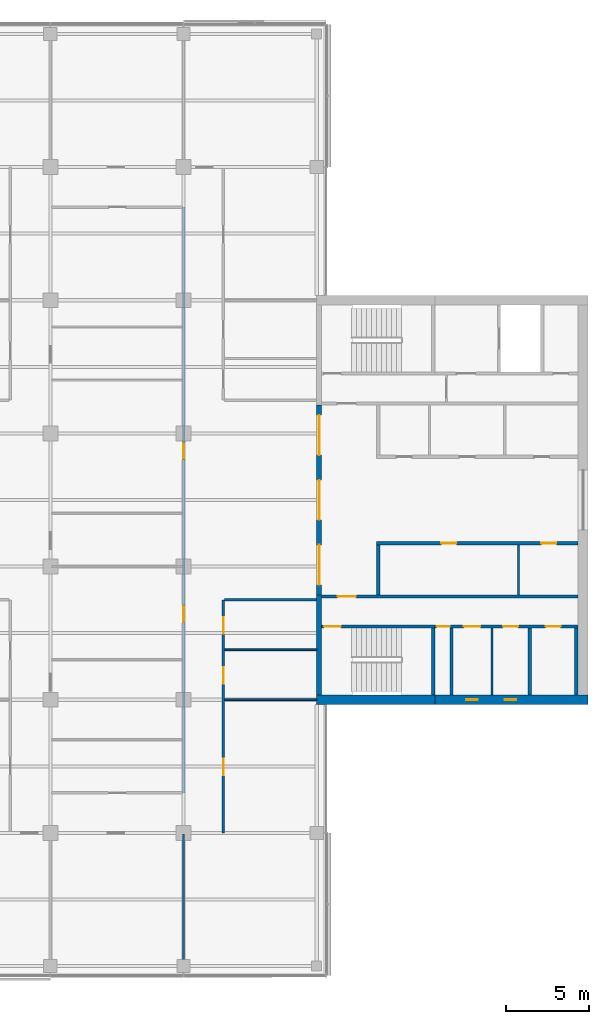
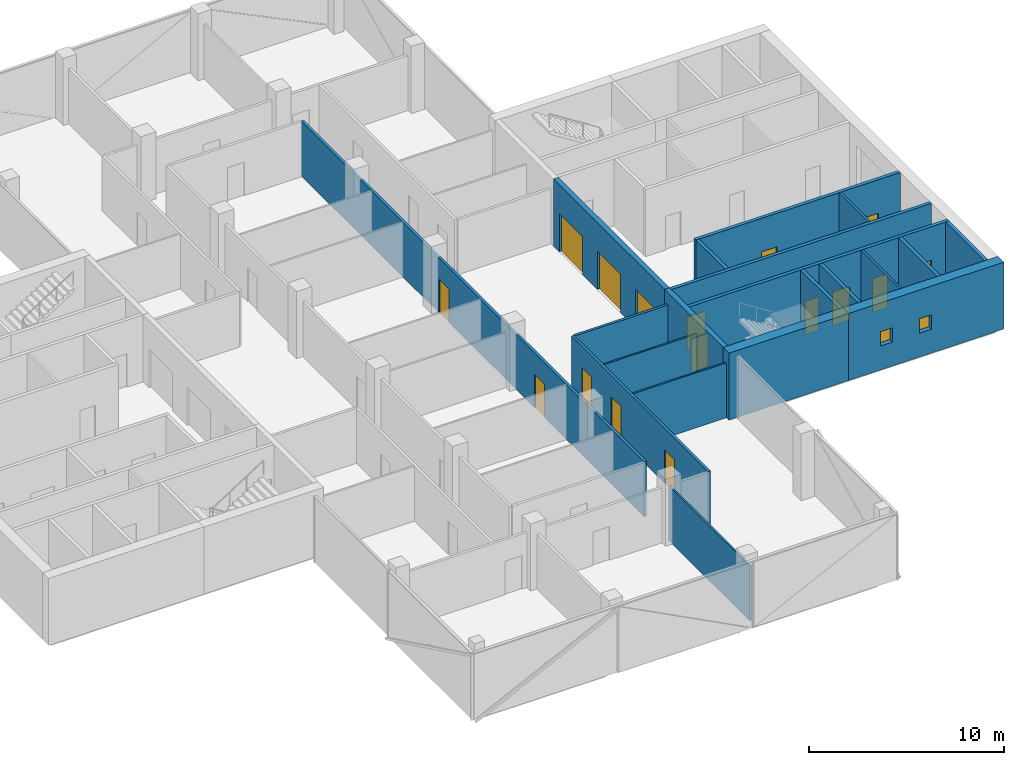
# One storey, part 10 of 15: 21 walls, 16 doors, 2 windows, 18 openings.
"""IFC4 building model written with IfcOpenShell, lengths in metres."""

from ifc_helpers import new_model, si_unit, direction, frame, frame_2d, origin, place, context, subcontext, project, spatial, rectangle, extrude, material, layer, layer_set, constituent, constituent_set, type_object, element, fill, save


model = new_model("IFC4")

# Units and contexts
model_context = context("Model", 3, precision=1e-05, world=origin(), true_north=direction((0.0, 1.0)))
body_context = subcontext(model_context, "Body", "Model", "MODEL_VIEW")
ifc_project = project(units=[si_unit("LENGTHUNIT", "METRE"), si_unit("AREAUNIT", "SQUARE_METRE"), si_unit("VOLUMEUNIT", "CUBIC_METRE"), si_unit("PLANEANGLEUNIT", "RADIAN"), si_unit("MASSUNIT", "GRAM", prefix="KILO")], contexts=[model_context])

# Site, building, storey
site_placement = place(None, origin())
site = spatial("IfcSite", under=ifc_project, at=site_placement, CompositionType="ELEMENT")
building_placement = place(site_placement, origin())
building = spatial("IfcBuilding", under=site, at=building_placement, Name="Crosswind Convention Tower", CompositionType="ELEMENT")
storey_placement = place(building_placement, frame((0.0, 0.0, 204.10009765625)))
storey = spatial("IfcBuildingStorey", under=building, at=storey_placement, Name="L43", CompositionType="ELEMENT", Elevation=204.10009765625)

# Wall
ifc_material_1 = material(Name="Concrete blockwork", Category="masonry")
ifc_layer_1 = layer(ifc_material_1, 0.199951171875)
ifc_layer_set_1 = layer_set([ifc_layer_1], Name="Blockwork partition wall 200")
wall_type_1 = type_object("IfcWallType", Name="Blockwork partition wall 200", PredefinedType="PARTITIONING", material=ifc_layer_set_1)
wall_1_placement = place(storey_placement, frame((145.10009765625, 88.300048828125, 0.0), z_axis=(0.0, 0.0, 1.0), x_axis=(0.0, 1.0, 0.0)))
element("IfcWall", 1, at=wall_1_placement, inside=storey, type_object=wall_type_1, Name="Wall MRSE E L43", PredefinedType="PARTITIONING", context=body_context, shape_type="SweptSolid", body=[
    extrude(rectangle(XDim=4.0, YDim=0.199951171875, at=frame_2d((2.0, 0.0))), origin(), (0.0, 0.0, 1.0), 4.199951171875),
])

# Wall, openings, doors
ifc_material_2 = material(Name="Concrete C50/60", Category="concrete")
ifc_layer_2 = layer(ifc_material_2, 0.300048828125)
ifc_layer_set_2 = layer_set([ifc_layer_2], Name="Concrete C50/60")
wall_type_2 = type_object("IfcWallType", Name="Concrete inner core wall 300", PredefinedType="SHEAR", material=ifc_layer_set_2)
wall_2_placement = place(storey_placement, frame((137.14990234375, 94.300048828125, 0.0), z_axis=(0.0, 0.0, 1.0), x_axis=(0.0, 1.0, 0.0)))
wall_2 = element("IfcWall", 2, at=wall_2_placement, inside=storey, type_object=wall_type_2, Name="Wall SCR E L43", PredefinedType="SHEAR", context=body_context, shape_type="SweptSolid", body=[
    extrude(rectangle(XDim=11.39990234375, YDim=0.300048828125, at=frame_2d((5.699951171875, 0.0))), origin(), (0.0, 0.0, 1.0), 4.199951171875),
])
opening_1_placement = place(wall_2_placement, frame((0.60009765625, 0.0, 0.0)))
opening_1 = element("IfcOpeningElement", 3, at=opening_1_placement, cuts=wall_2, Name="Opening D100", PredefinedType="OPENING", context=body_context, shape_type="SweptSolid", body=[
    extrude(rectangle(XDim=2.39990234375, YDim=2.39990234375, at=frame_2d((1.199951171875, 1.199951171875))), frame((0.0, 0.159912109375, 0.0), z_axis=(0.0, -1.0, 0.0), x_axis=(1.0, 0.0, 0.0)), (0.0, 0.0, 1.0), 0.320068359375),
])
opening_2_placement = place(wall_2_placement, frame((4.5, 0.0, 0.0)))
opening_2 = element("IfcOpeningElement", 4, at=opening_2_placement, cuts=wall_2, Name="Opening D100", PredefinedType="OPENING", context=body_context, shape_type="SweptSolid", body=[
    extrude(rectangle(XDim=2.39990234375, YDim=2.39990234375, at=frame_2d((1.199951171875, 1.199951171875))), frame((0.0, 0.159912109375, 0.0), z_axis=(0.0, -1.0, 0.0), x_axis=(1.0, 0.0, 0.0)), (0.0, 0.0, 1.0), 0.320068359375),
])
opening_3_placement = place(wall_2_placement, frame((8.39990234375, 0.0, 0.0)))
opening_3 = element("IfcOpeningElement", 5, at=opening_3_placement, cuts=wall_2, Name="Opening D100", PredefinedType="OPENING", context=body_context, shape_type="SweptSolid", body=[
    extrude(rectangle(XDim=2.39990234375, YDim=2.39990234375, at=frame_2d((1.199951171875, 1.199951171875))), frame((0.0, 0.159912109375, 0.0), z_axis=(0.0, -1.0, 0.0), x_axis=(1.0, 0.0, 0.0)), (0.0, 0.0, 1.0), 0.320068359375),
])
ifc_material_3 = material(Name="Steel fire door with glazed vision panels", Category="steel")
door_type_1 = type_object("IfcDoorType", Name="Fire-rated double door 2400x2400", OperationType="DOUBLE_DOOR_SINGLE_SWING", PredefinedType="DOOR", material=ifc_material_3)
door_1_placement = place(opening_1_placement, origin())
door_1 = element("IfcDoor", 6, at=door_1_placement, inside=storey, type_object=door_type_1, Name="Lobby door 1 L43", ObjectType="D100", OperationType="DOUBLE_DOOR_SINGLE_SWING", OverallHeight=2.39990234375, OverallWidth=2.39990234375, PredefinedType="DOOR", context=body_context, shape_type="SweptSolid", body=[
    extrude(rectangle(XDim=2.39990234375, YDim=2.39990234375, at=frame_2d((1.199951171875, 1.199951171875))), frame((0.0, 0.02490234375, 0.0), z_axis=(0.0, -1.0, 0.0), x_axis=(1.0, 0.0, 0.0)), (0.0, 0.0, 1.0), 0.050048828125),
])
fill(opening_1, door_1)
door_2_placement = place(opening_2_placement, origin())
door_2 = element("IfcDoor", 7, at=door_2_placement, inside=storey, type_object=door_type_1, Name="Lobby door 2 L43", ObjectType="D100", OperationType="DOUBLE_DOOR_SINGLE_SWING", OverallHeight=2.39990234375, OverallWidth=2.39990234375, PredefinedType="DOOR", context=body_context, shape_type="SweptSolid", body=[
    extrude(rectangle(XDim=2.39990234375, YDim=2.39990234375, at=frame_2d((1.199951171875, 1.199951171875))), frame((0.0, 0.02490234375, 0.0), z_axis=(0.0, -1.0, 0.0), x_axis=(1.0, 0.0, 0.0)), (0.0, 0.0, 1.0), 0.050048828125),
])
fill(opening_2, door_2)
door_3_placement = place(opening_3_placement, origin())
door_3 = element("IfcDoor", 8, at=door_3_placement, inside=storey, type_object=door_type_1, Name="Lobby door 3 L43", ObjectType="D100", OperationType="DOUBLE_DOOR_SINGLE_SWING", OverallHeight=2.39990234375, OverallWidth=2.39990234375, PredefinedType="DOOR", context=body_context, shape_type="SweptSolid", body=[
    extrude(rectangle(XDim=2.39990234375, YDim=2.39990234375, at=frame_2d((1.199951171875, 1.199951171875))), frame((0.0, 0.02490234375, 0.0), z_axis=(0.0, -1.0, 0.0), x_axis=(1.0, 0.0, 0.0)), (0.0, 0.0, 1.0), 0.050048828125),
])
fill(opening_3, door_3)

# Walls
wall_3_placement = place(storey_placement, frame((137.14990234375, 88.300048828125, 0.0), z_axis=(0.0, 0.0, 1.0), x_axis=(0.0, 1.0, 0.0)))
element("IfcWall", 9, at=wall_3_placement, inside=storey, type_object=wall_type_2, Name="Wall EM E L43", PredefinedType="SHEAR", context=body_context, shape_type="SweptSolid", body=[
    extrude(rectangle(XDim=6.0, YDim=0.300048828125, at=frame_2d((3.0, 0.0))), origin(), (0.0, 0.0, 1.0), 4.199951171875),
])
ifc_layer_3 = layer(ifc_material_2, 0.199951171875)
ifc_layer_set_3 = layer_set([ifc_layer_3], Name="Concrete C50/60")
wall_type_3 = type_object("IfcWallType", Name="Concrete shaft and stair wall 200", PredefinedType="SHEAR", material=ifc_layer_set_3)
wall_4_placement = place(storey_placement, frame((140.699951171875, 94.300048828125, 0.0), z_axis=(0.0, 0.0, 1.0), x_axis=(0.0, 1.0, 0.0)))
element("IfcWall", 10, at=wall_4_placement, inside=storey, type_object=wall_type_3, Name="Wall RMEND E L43", PredefinedType="SHEAR", context=body_context, shape_type="SweptSolid", body=[
    extrude(rectangle(XDim=3.0, YDim=0.199951171875, at=frame_2d((1.5, 0.0))), origin(), (0.0, 0.0, 1.0), 4.199951171875),
])

# Wall, openings, doors
wall_5_placement = place(storey_placement, frame((140.60009765625, 97.39990234375, 0.0), z_axis=(0.0, 0.0, 1.0), x_axis=(1.0, 0.0, 0.0)))
wall_5 = element("IfcWall", 11, at=wall_5_placement, inside=storey, type_object=wall_type_3, Name="Wall RMFRONT E L43", PredefinedType="SHEAR", context=body_context, shape_type="SweptSolid", body=[
    extrude(rectangle(XDim=12.099853515625, YDim=0.199951171875, at=frame_2d((6.0498046875, 0.0))), origin(), (0.0, 0.0, 1.0), 4.199951171875),
])
opening_4_placement = place(wall_5_placement, frame((3.8837890625, 0.0, 0.0)))
opening_4 = element("IfcOpeningElement", 12, at=opening_4_placement, cuts=wall_5, Name="Opening D106", PredefinedType="OPENING", context=body_context, shape_type="SweptSolid", body=[
    extrude(rectangle(XDim=0.89990234375, YDim=2.10009765625, at=frame_2d((0.449951171875, 1.050048828125))), frame((0.0, 0.10986328125, 0.0), z_axis=(0.0, -1.0, 0.0), x_axis=(1.0, 0.0, 0.0)), (0.0, 0.0, 1.0), 0.219970703125),
])
opening_5_placement = place(wall_5_placement, frame((9.896240234375, 0.0, 0.0)))
opening_5 = element("IfcOpeningElement", 13, at=opening_5_placement, cuts=wall_5, Name="Opening D106", PredefinedType="OPENING", context=body_context, shape_type="SweptSolid", body=[
    extrude(rectangle(XDim=0.89990234375, YDim=2.10009765625, at=frame_2d((0.449951171875, 1.050048828125))), frame((0.0, 0.10986328125, 0.0), z_axis=(0.0, -1.0, 0.0), x_axis=(1.0, 0.0, 0.0)), (0.0, 0.0, 1.0), 0.219970703125),
])
ifc_material_4 = material(Name="Timber door", Category="wood")
door_type_2 = type_object("IfcDoorType", Name="Single leaf door 900x2100", OperationType="NOTDEFINED", PredefinedType="DOOR", material=ifc_material_4)
door_4_placement = place(opening_4_placement, frame((0.89990234375, 0.0, 0.0), z_axis=(0.0, 0.0, 1.0), x_axis=(-1.0, 0.0, 0.0)))
door_4 = element("IfcDoor", 14, at=door_4_placement, inside=storey, type_object=door_type_2, Name="Door to pantry L43", ObjectType="D106", OperationType="SINGLE_SWING_LEFT", OverallHeight=2.10009765625, OverallWidth=0.89990234375, PredefinedType="DOOR", context=body_context, shape_type="SweptSolid", body=[
    extrude(rectangle(XDim=0.89990234375, YDim=2.10009765625, at=frame_2d((0.449951171875, 1.050048828125))), frame((0.0, 0.02490234375, 0.0), z_axis=(0.0, -1.0, 0.0), x_axis=(1.0, 0.0, 0.0)), (0.0, 0.0, 1.0), 0.050048828125),
])
fill(opening_4, door_4)
door_5_placement = place(opening_5_placement, frame((0.89990234375, 0.0, 0.0), z_axis=(0.0, 0.0, 1.0), x_axis=(-1.0, 0.0, 0.0)))
door_5 = element("IfcDoor", 15, at=door_5_placement, inside=storey, type_object=door_type_2, Name="Door to telecoms room L43", ObjectType="D106", OperationType="SINGLE_SWING_LEFT", OverallHeight=2.10009765625, OverallWidth=0.89990234375, PredefinedType="DOOR", context=body_context, shape_type="SweptSolid", body=[
    extrude(rectangle(XDim=0.89990234375, YDim=2.10009765625, at=frame_2d((0.449951171875, 1.050048828125))), frame((0.0, 0.02490234375, 0.0), z_axis=(0.0, -1.0, 0.0), x_axis=(1.0, 0.0, 0.0)), (0.0, 0.0, 1.0), 0.050048828125),
])
fill(opening_5, door_5)

# Wall, opening, door
wall_6_placement = place(storey_placement, frame((137.300048828125, 94.199951171875, 0.0), z_axis=(0.0, 0.0, 1.0), x_axis=(1.0, 0.0, 0.0)))
wall_6 = element("IfcWall", 16, at=wall_6_placement, inside=storey, type_object=wall_type_3, Name="Wall HM E L43", PredefinedType="SHEAR", context=body_context, shape_type="SweptSolid", body=[
    extrude(rectangle(XDim=15.39990234375, YDim=0.199951171875, at=frame_2d((7.699951171875, 0.0))), origin(), (0.0, 0.0, 1.0), 4.199951171875),
])
opening_6_placement = place(wall_6_placement, frame((0.949951171875, 0.0, 0.0)))
opening_6 = element("IfcOpeningElement", 17, at=opening_6_placement, cuts=wall_6, Name="Opening D104", PredefinedType="OPENING", context=body_context, shape_type="SweptSolid", body=[
    extrude(rectangle(XDim=1.10009765625, YDim=2.10009765625, at=frame_2d((0.550048828125, 1.050048828125))), frame((0.0, 0.10986328125, 0.0), z_axis=(0.0, -1.0, 0.0), x_axis=(1.0, 0.0, 0.0)), (0.0, 0.0, 1.0), 0.219970703125),
])
ifc_material_5 = material(Name="Steel fire door", Category="steel")
door_type_3 = type_object("IfcDoorType", Name="Fire-rated single door 1100x2100", OperationType="NOTDEFINED", PredefinedType="DOOR", material=ifc_material_5)
door_6_placement = place(opening_6_placement, origin())
door_6 = element("IfcDoor", 18, at=door_6_placement, inside=storey, type_object=door_type_3, Name="Corridor door L43", ObjectType="D104", OperationType="SINGLE_SWING_LEFT", OverallHeight=2.10009765625, OverallWidth=1.10009765625, PredefinedType="DOOR", context=body_context, shape_type="SweptSolid", body=[
    extrude(rectangle(XDim=1.10009765625, YDim=2.10009765625, at=frame_2d((0.550048828125, 1.050048828125))), frame((0.0, 0.02490234375, 0.0), z_axis=(0.0, -1.0, 0.0), x_axis=(1.0, 0.0, 0.0)), (0.0, 0.0, 1.0), 0.050048828125),
])
fill(opening_6, door_6)

# Walls
for number, where, z_axis, x_axis, name in (
    (19, (144.0, 88.300048828125, 0.0), (0.0, 0.0, 1.0), (0.0, 1.0, 0.0), "Wall MSE E L43"),
    (20, (149.800048828125, 88.300048828125, 0.0), (0.0, 0.0, 1.0), (0.0, 1.0, 0.0), "Wall MFSW E L43"),
    (21, (152.60009765625, 88.300048828125, 0.0), (0.0, 0.0, 1.0), (0.0, 1.0, 0.0), "Wall MFSE E L43"),
):
    element("IfcWall", number, at=place(storey_placement, frame(where, z_axis=z_axis, x_axis=x_axis)), inside=storey, type_object=wall_type_3, Name=name, PredefinedType="SHEAR", context=body_context, shape_type="SweptSolid", body=[
        extrude(rectangle(XDim=4.0, YDim=0.199951171875, at=frame_2d((2.0, 0.0))), origin(), (0.0, 0.0, 1.0), 4.199951171875),
    ])

# Wall, opening, door
wall_7_placement = place(storey_placement, frame((137.300048828125, 92.39990234375, 0.0), z_axis=(0.0, 0.0, 1.0), x_axis=(1.0, 0.0, 0.0)))
wall_7 = element("IfcWall", 22, at=wall_7_placement, inside=storey, type_object=wall_type_3, Name="Wall MCW E L43", PredefinedType="SHEAR", context=body_context, shape_type="SweptSolid", body=[
    extrude(rectangle(XDim=6.800048828125, YDim=0.199951171875, at=frame_2d((3.39990234375, 0.0))), origin(), (0.0, 0.0, 1.0), 4.199951171875),
])
opening_7_placement = place(wall_7_placement, frame((0.14990234375, 0.0, 0.0)))
opening_7 = element("IfcOpeningElement", 23, at=opening_7_placement, cuts=wall_7, Name="Opening D103", PredefinedType="OPENING", context=body_context, shape_type="SweptSolid", body=[
    extrude(rectangle(XDim=1.0, YDim=2.10009765625, at=frame_2d((0.5, 1.050048828125))), frame((0.0, 0.10986328125, 0.0), z_axis=(0.0, -1.0, 0.0), x_axis=(1.0, 0.0, 0.0)), (0.0, 0.0, 1.0), 0.219970703125),
])
door_type_4 = type_object("IfcDoorType", Name="Fire-rated single door 1000x2100", OperationType="NOTDEFINED", PredefinedType="DOOR", material=ifc_material_5)
door_7_placement = place(opening_7_placement, frame((1.0, 0.0, 0.0), z_axis=(0.0, 0.0, 1.0), x_axis=(-1.0, 0.0, 0.0)))
door_7 = element("IfcDoor", 24, at=door_7_placement, inside=storey, type_object=door_type_4, Name="Stair ST2 door L43", ObjectType="D103", OperationType="SINGLE_SWING_RIGHT", OverallHeight=2.10009765625, OverallWidth=1.0, PredefinedType="DOOR", context=body_context, shape_type="SweptSolid", body=[
    extrude(rectangle(XDim=1.0, YDim=2.10009765625, at=frame_2d((0.5, 1.050048828125))), frame((0.0, 0.02490234375, 0.0), z_axis=(0.0, -1.0, 0.0), x_axis=(1.0, 0.0, 0.0)), (0.0, 0.0, 1.0), 0.050048828125),
])
fill(opening_7, door_7)

# Wall, openings, doors
wall_8_placement = place(storey_placement, frame((144.10009765625, 92.39990234375, 0.0), z_axis=(0.0, 0.0, 1.0), x_axis=(1.0, 0.0, 0.0)))
wall_8 = element("IfcWall", 25, at=wall_8_placement, inside=storey, type_object=wall_type_3, Name="Wall MCX E L43", PredefinedType="SHEAR", context=body_context, shape_type="SweptSolid", body=[
    extrude(rectangle(XDim=8.599853515625, YDim=0.199951171875, at=frame_2d((4.2998046875, 0.0))), origin(), (0.0, 0.0, 1.0), 4.199951171875),
])
opening_8_placement = place(wall_8_placement, frame((0.10009765625, 0.0, 0.0)))
opening_8 = element("IfcOpeningElement", 26, at=opening_8_placement, cuts=wall_8, Name="Opening D105", PredefinedType="OPENING", context=body_context, shape_type="SweptSolid", body=[
    extrude(rectangle(XDim=0.800048828125, YDim=2.10009765625, at=frame_2d((0.39990234375, 1.050048828125))), frame((0.0, 0.10986328125, 0.0), z_axis=(0.0, -1.0, 0.0), x_axis=(1.0, 0.0, 0.0)), (0.0, 0.0, 1.0), 0.219970703125),
])
opening_9_placement = place(wall_8_placement, frame((1.73876953125, 0.0, 0.0)))
opening_9 = element("IfcOpeningElement", 27, at=opening_9_placement, cuts=wall_8, Name="Opening D103", PredefinedType="OPENING", context=body_context, shape_type="SweptSolid", body=[
    extrude(rectangle(XDim=1.0, YDim=2.10009765625, at=frame_2d((0.5, 1.050048828125))), frame((0.0, 0.10986328125, 0.0), z_axis=(0.0, -1.0, 0.0), x_axis=(1.0, 0.0, 0.0)), (0.0, 0.0, 1.0), 0.219970703125),
])
opening_10_placement = place(wall_8_placement, frame((4.101318359375, 0.0, 0.0)))
opening_10 = element("IfcOpeningElement", 28, at=opening_10_placement, cuts=wall_8, Name="Opening D106", PredefinedType="OPENING", context=body_context, shape_type="SweptSolid", body=[
    extrude(rectangle(XDim=0.89990234375, YDim=2.10009765625, at=frame_2d((0.449951171875, 1.050048828125))), frame((0.0, 0.10986328125, 0.0), z_axis=(0.0, -1.0, 0.0), x_axis=(1.0, 0.0, 0.0)), (0.0, 0.0, 1.0), 0.219970703125),
])
opening_11_placement = place(wall_8_placement, frame((6.64990234375, 0.0, 0.0)))
opening_11 = element("IfcOpeningElement", 29, at=opening_11_placement, cuts=wall_8, Name="Opening D106", PredefinedType="OPENING", context=body_context, shape_type="SweptSolid", body=[
    extrude(rectangle(XDim=0.89990234375, YDim=2.10009765625, at=frame_2d((0.449951171875, 1.050048828125))), frame((0.0, 0.10986328125, 0.0), z_axis=(0.0, -1.0, 0.0), x_axis=(1.0, 0.0, 0.0)), (0.0, 0.0, 1.0), 0.219970703125),
])
door_8_placement = place(opening_9_placement, frame((1.0, 0.0, 0.0), z_axis=(0.0, 0.0, 1.0), x_axis=(-1.0, 0.0, 0.0)))
door_8 = element("IfcDoor", 30, at=door_8_placement, inside=storey, type_object=door_type_4, Name="Door to accessible wc L43", ObjectType="D103", OperationType="SINGLE_SWING_LEFT", OverallHeight=2.10009765625, OverallWidth=1.0, PredefinedType="DOOR", context=body_context, shape_type="SweptSolid", body=[
    extrude(rectangle(XDim=1.0, YDim=2.10009765625, at=frame_2d((0.5, 1.050048828125))), frame((0.0, 0.02490234375, 0.0), z_axis=(0.0, -1.0, 0.0), x_axis=(1.0, 0.0, 0.0)), (0.0, 0.0, 1.0), 0.050048828125),
])
fill(opening_9, door_8)
door_type_5 = type_object("IfcDoorType", Name="Riser access door 800x2100", OperationType="NOTDEFINED", PredefinedType="DOOR", material=ifc_material_5)
door_9_placement = place(opening_8_placement, frame((0.800048828125, 0.0, 0.0), z_axis=(0.0, 0.0, 1.0), x_axis=(-1.0, 0.0, 0.0)))
door_9 = element("IfcDoor", 31, at=door_9_placement, inside=storey, type_object=door_type_5, Name="Riser door L43", ObjectType="D105", OperationType="SINGLE_SWING_LEFT", OverallHeight=2.10009765625, OverallWidth=0.800048828125, PredefinedType="DOOR", context=body_context, shape_type="SweptSolid", body=[
    extrude(rectangle(XDim=0.800048828125, YDim=2.10009765625, at=frame_2d((0.39990234375, 1.050048828125))), frame((0.0, 0.02490234375, 0.0), z_axis=(0.0, -1.0, 0.0), x_axis=(1.0, 0.0, 0.0)), (0.0, 0.0, 1.0), 0.050048828125),
])
fill(opening_8, door_9)
door_10_placement = place(opening_10_placement, frame((0.89990234375, 0.0, 0.0), z_axis=(0.0, 0.0, 1.0), x_axis=(-1.0, 0.0, 0.0)))
door_10 = element("IfcDoor", 32, at=door_10_placement, inside=storey, type_object=door_type_2, Name="Door to wc L43", ObjectType="D106", OperationType="SINGLE_SWING_LEFT", OverallHeight=2.10009765625, OverallWidth=0.89990234375, PredefinedType="DOOR", context=body_context, shape_type="SweptSolid", body=[
    extrude(rectangle(XDim=0.89990234375, YDim=2.10009765625, at=frame_2d((0.449951171875, 1.050048828125))), frame((0.0, 0.02490234375, 0.0), z_axis=(0.0, -1.0, 0.0), x_axis=(1.0, 0.0, 0.0)), (0.0, 0.0, 1.0), 0.050048828125),
])
fill(opening_10, door_10)
door_11_placement = place(opening_11_placement, frame((0.89990234375, 0.0, 0.0), z_axis=(0.0, 0.0, 1.0), x_axis=(-1.0, 0.0, 0.0)))
door_11 = element("IfcDoor", 33, at=door_11_placement, inside=storey, type_object=door_type_2, Name="Door to wc L43", ObjectType="D106", OperationType="SINGLE_SWING_LEFT", OverallHeight=2.10009765625, OverallWidth=0.89990234375, PredefinedType="DOOR", context=body_context, shape_type="SweptSolid", body=[
    extrude(rectangle(XDim=0.89990234375, YDim=2.10009765625, at=frame_2d((0.449951171875, 1.050048828125))), frame((0.0, 0.02490234375, 0.0), z_axis=(0.0, -1.0, 0.0), x_axis=(1.0, 0.0, 0.0)), (0.0, 0.0, 1.0), 0.050048828125),
])
fill(opening_11, door_11)

# Walls
ifc_material_6 = material(Name="Gypsum plasterboard partition", Category="gypsum")
ifc_layer_4 = layer(ifc_material_6, 0.125)
ifc_layer_set_4 = layer_set([ifc_layer_4], Name="Drywall partition wall 125")
wall_type_4 = type_object("IfcWallType", Name="Drywall partition wall 125", PredefinedType="PARTITIONING", material=ifc_layer_set_4)
wall_9_placement = place(storey_placement, frame((149.1298828125, 94.300048828125, 0.0), z_axis=(0.0, 0.0, 1.0), x_axis=(0.0, 1.0, 0.0)))
element("IfcWall", 34, at=wall_9_placement, inside=storey, type_object=wall_type_4, Name="Wall RMP1 E L43", PredefinedType="PARTITIONING", context=body_context, shape_type="SweptSolid", body=[
    extrude(rectangle(XDim=3.0, YDim=0.125, at=frame_2d((1.5, 0.0))), origin(), (0.0, 0.0, 1.0), 4.199951171875),
])
wall_10_placement = place(storey_placement, frame((147.5400390625, 88.300048828125, 0.0), z_axis=(0.0, 0.0, 1.0), x_axis=(0.0, 1.0, 0.0)))
element("IfcWall", 35, at=wall_10_placement, inside=storey, type_object=wall_type_4, Name="Wall MWP1 E L43", PredefinedType="PARTITIONING", context=body_context, shape_type="SweptSolid", body=[
    extrude(rectangle(XDim=4.0, YDim=0.125, at=frame_2d((2.0, 0.0))), origin(), (0.0, 0.0, 1.0), 4.199951171875),
])
ifc_material_7 = material(Name="Plasterboard partition", Category="gypsum")
ifc_layer_5 = layer(ifc_material_7, 0.10009765625)
ifc_layer_set_5 = layer_set([ifc_layer_5], Name="PARTITION 100 METAL STUD")
wall_type_5 = type_object("IfcWallType", Name="PARTITION 100 METAL STUD", PredefinedType="PARTITIONING", material=ifc_layer_set_5)
wall_11_placement = place(storey_placement, frame((129.0, 71.6298828125, 0.0), z_axis=(0.0, 0.0, 1.0), x_axis=(0.0, 1.0, 0.0)))
element("IfcWall", 36, at=wall_11_placement, inside=storey, type_object=wall_type_5, Name="Partition wall WT40", PredefinedType="PARTITIONING", context=body_context, shape_type="SweptSolid", body=[
    extrude(rectangle(XDim=8.295166015625, YDim=0.10009765625, at=frame_2d((4.1474609375, 0.0))), origin(), (0.0, 0.0, 1.0), 3.439697265625),
])
for number, where, z_axis, x_axis, name in (
    (37, (131.47509765625, 88.0, 0.0), (0.0, 0.0, 1.0), (1.0, 0.0, 0.0), "Partition wall WT40"),
    (38, (131.47509765625, 91.0, 0.0), (0.0, 0.0, 1.0), (1.0, 0.0, 0.0), "Partition wall WT40"),
):
    element("IfcWall", number, at=place(storey_placement, frame(where, z_axis=z_axis, x_axis=x_axis)), inside=storey, type_object=wall_type_5, Name=name, PredefinedType="PARTITIONING", context=body_context, shape_type="SweptSolid", body=[
        extrude(rectangle(XDim=5.52490234375, YDim=0.10009765625, at=frame_2d((2.762451171875, 0.0))), origin(), (0.0, 0.0, 1.0), 3.439697265625),
    ])

# Wall, openings, doors
ifc_material_8 = material(Name="Fire-board partition with mineral wool", Category="gypsum")
ifc_layer_6 = layer(ifc_material_8, 0.14990234375)
ifc_layer_set_6 = layer_set([ifc_layer_6], Name="TENANCY WALL 150 TWO-HOUR BOARD")
wall_type_6 = type_object("IfcWallType", Name="TENANCY WALL 150 TWO-HOUR BOARD", PredefinedType="PARTITIONING", material=ifc_layer_set_6)
wall_12_placement = place(storey_placement, frame((129.0, 82.39990234375, 0.0), z_axis=(0.0, 0.0, 1.0), x_axis=(0.0, 1.0, 0.0)))
wall_12 = element("IfcWall", 39, at=wall_12_placement, inside=storey, type_object=wall_type_6, Name="Tenancy wall WT41", PredefinedType="PARTITIONING", context=body_context, shape_type="SweptSolid", body=[
    extrude(rectangle(XDim=35.2001953125, YDim=0.14990234375, at=frame_2d((17.60009765625, 0.0))), origin(), (0.0, 0.0, 1.0), 3.439697265625),
])
opening_12_placement = place(wall_12_placement, frame((10.25, 0.0, 0.0)))
opening_12 = element("IfcOpeningElement", 40, at=opening_12_placement, cuts=wall_12, Name="Opening L43-66", PredefinedType="OPENING", context=body_context, shape_type="SweptSolid", body=[
    extrude(rectangle(XDim=1.0, YDim=2.10009765625, at=frame_2d((0.5, 1.050048828125))), frame((0.0, 0.0849609375, 0.0), z_axis=(0.0, -1.0, 0.0), x_axis=(1.0, 0.0, 0.0)), (0.0, 0.0, 1.0), 0.169921875),
])
opening_13_placement = place(wall_12_placement, frame((20.050048828125, 0.0, 0.0)))
opening_13 = element("IfcOpeningElement", 41, at=opening_13_placement, cuts=wall_12, Name="Opening L43-68", PredefinedType="OPENING", context=body_context, shape_type="SweptSolid", body=[
    extrude(rectangle(XDim=1.0, YDim=2.10009765625, at=frame_2d((0.5, 1.050048828125))), frame((0.0, 0.0849609375, 0.0), z_axis=(0.0, -1.0, 0.0), x_axis=(1.0, 0.0, 0.0)), (0.0, 0.0, 1.0), 0.169921875),
])
ifc_material_9 = material(Name="Timber fire door", Category="wood")
door_type_6 = type_object("IfcDoorType", Name="TENANCY ENTRANCE DOOR 1000X2100 FD30S", OperationType="NOTDEFINED", PredefinedType="DOOR", material=ifc_material_9)
door_12_placement = place(opening_12_placement, origin())
door_12 = element("IfcDoor", 42, at=door_12_placement, inside=storey, type_object=door_type_6, Name="Door L43-66", ObjectType="D41", OperationType="SINGLE_SWING_RIGHT", OverallHeight=2.10009765625, OverallWidth=1.0, PredefinedType="DOOR", context=body_context, shape_type="SweptSolid", body=[
    extrude(rectangle(XDim=1.0, YDim=2.10009765625, at=frame_2d((0.5, 1.050048828125))), frame((0.0, 0.02490234375, 0.0), z_axis=(0.0, -1.0, 0.0), x_axis=(1.0, 0.0, 0.0)), (0.0, 0.0, 1.0), 0.050048828125),
])
fill(opening_12, door_12)
door_13_placement = place(opening_13_placement, origin())
door_13 = element("IfcDoor", 43, at=door_13_placement, inside=storey, type_object=door_type_6, Name="Door L43-68", ObjectType="D41", OperationType="SINGLE_SWING_RIGHT", OverallHeight=2.10009765625, OverallWidth=1.0, PredefinedType="DOOR", context=body_context, shape_type="SweptSolid", body=[
    extrude(rectangle(XDim=1.0, YDim=2.10009765625, at=frame_2d((0.5, 1.050048828125))), frame((0.0, 0.02490234375, 0.0), z_axis=(0.0, -1.0, 0.0), x_axis=(1.0, 0.0, 0.0)), (0.0, 0.0, 1.0), 0.050048828125),
])
fill(opening_13, door_13)

wall_13_placement = place(storey_placement, frame((131.39990234375, 80.0, 0.0), z_axis=(0.0, 0.0, 1.0), x_axis=(0.0, 1.0, 0.0)))
wall_13 = element("IfcWall", 44, at=wall_13_placement, inside=storey, type_object=wall_type_6, Name="Tenancy wall WT41", PredefinedType="PARTITIONING", context=body_context, shape_type="SweptSolid", body=[
    extrude(rectangle(XDim=14.0, YDim=0.14990234375, at=frame_2d((7.0, 0.0))), origin(), (0.0, 0.0, 1.0), 3.439697265625),
])
opening_14_placement = place(wall_13_placement, frame((11.949951171875, 0.0, 0.0)))
opening_14 = element("IfcOpeningElement", 45, at=opening_14_placement, cuts=wall_13, Name="Opening L43-53", PredefinedType="OPENING", context=body_context, shape_type="SweptSolid", body=[
    extrude(rectangle(XDim=1.0, YDim=2.10009765625, at=frame_2d((0.5, 1.050048828125))), frame((0.0, 0.0849609375, 0.0), z_axis=(0.0, -1.0, 0.0), x_axis=(1.0, 0.0, 0.0)), (0.0, 0.0, 1.0), 0.169921875),
])
opening_15_placement = place(wall_13_placement, frame((8.949951171875, 0.0, 0.0)))
opening_15 = element("IfcOpeningElement", 46, at=opening_15_placement, cuts=wall_13, Name="Opening L43-54", PredefinedType="OPENING", context=body_context, shape_type="SweptSolid", body=[
    extrude(rectangle(XDim=1.0, YDim=2.10009765625, at=frame_2d((0.5, 1.050048828125))), frame((0.0, 0.0849609375, 0.0), z_axis=(0.0, -1.0, 0.0), x_axis=(1.0, 0.0, 0.0)), (0.0, 0.0, 1.0), 0.169921875),
])
opening_16_placement = place(wall_13_placement, frame((3.449951171875, 0.0, 0.0)))
opening_16 = element("IfcOpeningElement", 47, at=opening_16_placement, cuts=wall_13, Name="Opening L43-55", PredefinedType="OPENING", context=body_context, shape_type="SweptSolid", body=[
    extrude(rectangle(XDim=1.0, YDim=2.10009765625, at=frame_2d((0.5, 1.050048828125))), frame((0.0, 0.0849609375, 0.0), z_axis=(0.0, -1.0, 0.0), x_axis=(1.0, 0.0, 0.0)), (0.0, 0.0, 1.0), 0.169921875),
])
door_14_placement = place(opening_14_placement, frame((1.0, 0.0, 0.0), z_axis=(0.0, 0.0, 1.0), x_axis=(-1.0, 0.0, 0.0)))
door_14 = element("IfcDoor", 48, at=door_14_placement, inside=storey, type_object=door_type_6, Name="Door L43-53", ObjectType="D41", OperationType="SINGLE_SWING_RIGHT", OverallHeight=2.10009765625, OverallWidth=1.0, PredefinedType="DOOR", context=body_context, shape_type="SweptSolid", body=[
    extrude(rectangle(XDim=1.0, YDim=2.10009765625, at=frame_2d((0.5, 1.050048828125))), frame((0.0, 0.02490234375, 0.0), z_axis=(0.0, -1.0, 0.0), x_axis=(1.0, 0.0, 0.0)), (0.0, 0.0, 1.0), 0.050048828125),
])
fill(opening_14, door_14)
door_15_placement = place(opening_15_placement, frame((1.0, 0.0, 0.0), z_axis=(0.0, 0.0, 1.0), x_axis=(-1.0, 0.0, 0.0)))
door_15 = element("IfcDoor", 49, at=door_15_placement, inside=storey, type_object=door_type_6, Name="Door L43-54", ObjectType="D41", OperationType="SINGLE_SWING_RIGHT", OverallHeight=2.10009765625, OverallWidth=1.0, PredefinedType="DOOR", context=body_context, shape_type="SweptSolid", body=[
    extrude(rectangle(XDim=1.0, YDim=2.10009765625, at=frame_2d((0.5, 1.050048828125))), frame((0.0, 0.02490234375, 0.0), z_axis=(0.0, -1.0, 0.0), x_axis=(1.0, 0.0, 0.0)), (0.0, 0.0, 1.0), 0.050048828125),
])
fill(opening_15, door_15)
door_16_placement = place(opening_16_placement, frame((1.0, 0.0, 0.0), z_axis=(0.0, 0.0, 1.0), x_axis=(-1.0, 0.0, 0.0)))
door_16 = element("IfcDoor", 50, at=door_16_placement, inside=storey, type_object=door_type_6, Name="Door L43-55", ObjectType="D41", OperationType="SINGLE_SWING_LEFT", OverallHeight=2.10009765625, OverallWidth=1.0, PredefinedType="DOOR", context=body_context, shape_type="SweptSolid", body=[
    extrude(rectangle(XDim=1.0, YDim=2.10009765625, at=frame_2d((0.5, 1.050048828125))), frame((0.0, 0.02490234375, 0.0), z_axis=(0.0, -1.0, 0.0), x_axis=(1.0, 0.0, 0.0)), (0.0, 0.0, 1.0), 0.050048828125),
])
fill(opening_16, door_16)

# Walls
wall_14_placement = place(storey_placement, frame((131.47509765625, 94.0, 0.0), z_axis=(0.0, 0.0, 1.0), x_axis=(1.0, 0.0, 0.0)))
element("IfcWall", 51, at=wall_14_placement, inside=storey, type_object=wall_type_6, Name="Tenancy wall WT41", PredefinedType="PARTITIONING", context=body_context, shape_type="SweptSolid", body=[
    extrude(rectangle(XDim=5.52490234375, YDim=0.14990234375, at=frame_2d((2.762451171875, 0.0))), origin(), (0.0, 0.0, 1.0), 3.439697265625),
])
ifc_material_10 = material(Name="Concrete C60/75", Category="concrete")
ifc_constituent_1 = constituent(ifc_material_10, Name="Structure")
ifc_material_11 = material(Name="Terracotta rainscreen", Category="ceramic")
ifc_constituent_2 = constituent(ifc_material_11, Name="Facing")
ifc_constituent_set = constituent_set(constituents=[ifc_constituent_1, ifc_constituent_2], Name="Concrete C60/75, Terracotta rainscreen")
wall_type_7 = type_object("IfcWallType", Name="Terracotta rainscreen on concrete core wall 600", PredefinedType="SHEAR", material=ifc_constituent_set)
wall_15_placement = place(storey_placement, frame((137.0, 88.0, 0.0), z_axis=(0.0, 0.0, 1.0), x_axis=(1.0, 0.0, 0.0)))
element("IfcWall", 52, at=wall_15_placement, inside=storey, type_object=wall_type_7, Name="Wall S1 E L43", PredefinedType="SHEAR", context=body_context, shape_type="SweptSolid", body=[
    extrude(rectangle(XDim=7.10009765625, YDim=0.60009765625, at=frame_2d((3.550048828125, 0.0))), origin(), (0.0, 0.0, 1.0), 4.199951171875),
])

# Wall, openings, windows
wall_16_placement = place(storey_placement, frame((144.10009765625, 88.0, 0.0), z_axis=(0.0, 0.0, 1.0), x_axis=(1.0, 0.0, 0.0)))
wall_16 = element("IfcWall", 53, at=wall_16_placement, inside=storey, type_object=wall_type_7, Name="Wall S2 E L43", PredefinedType="SHEAR", context=body_context, shape_type="SweptSolid", body=[
    extrude(rectangle(XDim=9.199951171875, YDim=0.60009765625, at=frame_2d((4.60009765625, 0.0))), origin(), (0.0, 0.0, 1.0), 4.199951171875),
])
opening_17_placement = place(wall_16_placement, frame((1.888671875, 0.0, 1.5)))
opening_17 = element("IfcOpeningElement", 54, at=opening_17_placement, cuts=wall_16, Name="Opening W2", PredefinedType="OPENING", context=body_context, shape_type="SweptSolid", body=[
    extrude(rectangle(XDim=0.699951171875, YDim=0.89990234375, at=frame_2d((0.35009765625, 0.449951171875))), frame((0.0, 0.31005859375, 0.0), z_axis=(0.0, -1.0, 0.0), x_axis=(1.0, 0.0, 0.0)), (0.0, 0.0, 1.0), 0.6201171875),
])
opening_18_placement = place(wall_16_placement, frame((4.201171875, 0.0, 1.5)))
opening_18 = element("IfcOpeningElement", 55, at=opening_18_placement, cuts=wall_16, Name="Opening W2", PredefinedType="OPENING", context=body_context, shape_type="SweptSolid", body=[
    extrude(rectangle(XDim=0.699951171875, YDim=0.89990234375, at=frame_2d((0.35009765625, 0.449951171875))), frame((0.0, 0.31005859375, 0.0), z_axis=(0.0, -1.0, 0.0), x_axis=(1.0, 0.0, 0.0)), (0.0, 0.0, 1.0), 0.6201171875),
])
ifc_material_12 = material(Name="Obscure glass in aluminium frame", Category="aluminium")
window_type = type_object("IfcWindowType", Name="WC window 700x900", PartitioningType="SINGLE_PANEL", PredefinedType="WINDOW", material=ifc_material_12)
window_1_placement = place(opening_17_placement, origin())
window_1 = element("IfcWindow", 56, at=window_1_placement, inside=storey, type_object=window_type, Name="WC window L43", ObjectType="W2", OverallHeight=0.89990234375, OverallWidth=0.699951171875, PartitioningType="SINGLE_PANEL", PredefinedType="WINDOW", context=body_context, shape_type="SweptSolid", body=[
    extrude(rectangle(XDim=0.699951171875, YDim=0.89990234375, at=frame_2d((0.35009765625, 0.449951171875))), frame((0.0, 0.030029296875, 0.0), z_axis=(0.0, -1.0, 0.0), x_axis=(1.0, 0.0, 0.0)), (0.0, 0.0, 1.0), 0.06005859375),
])
fill(opening_17, window_1)
window_2_placement = place(opening_18_placement, origin())
window_2 = element("IfcWindow", 57, at=window_2_placement, inside=storey, type_object=window_type, Name="WC window L43", ObjectType="W2", OverallHeight=0.89990234375, OverallWidth=0.699951171875, PartitioningType="SINGLE_PANEL", PredefinedType="WINDOW", context=body_context, shape_type="SweptSolid", body=[
    extrude(rectangle(XDim=0.699951171875, YDim=0.89990234375, at=frame_2d((0.35009765625, 0.449951171875))), frame((0.0, 0.030029296875, 0.0), z_axis=(0.0, -1.0, 0.0), x_axis=(1.0, 0.0, 0.0)), (0.0, 0.0, 1.0), 0.06005859375),
])
fill(opening_18, window_2)

save(model, "model.ifc")
